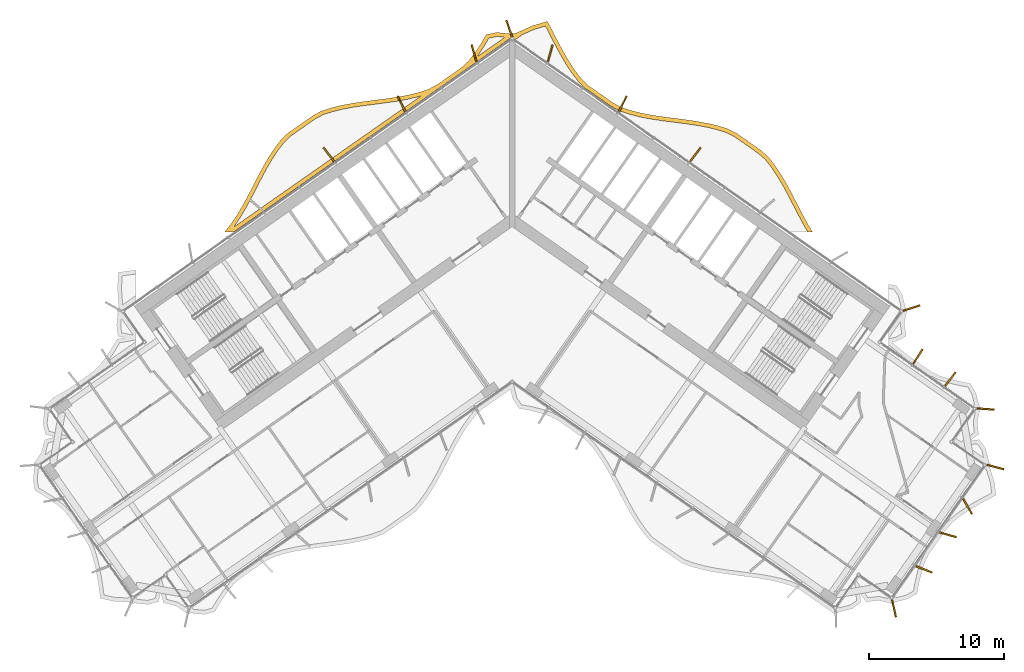
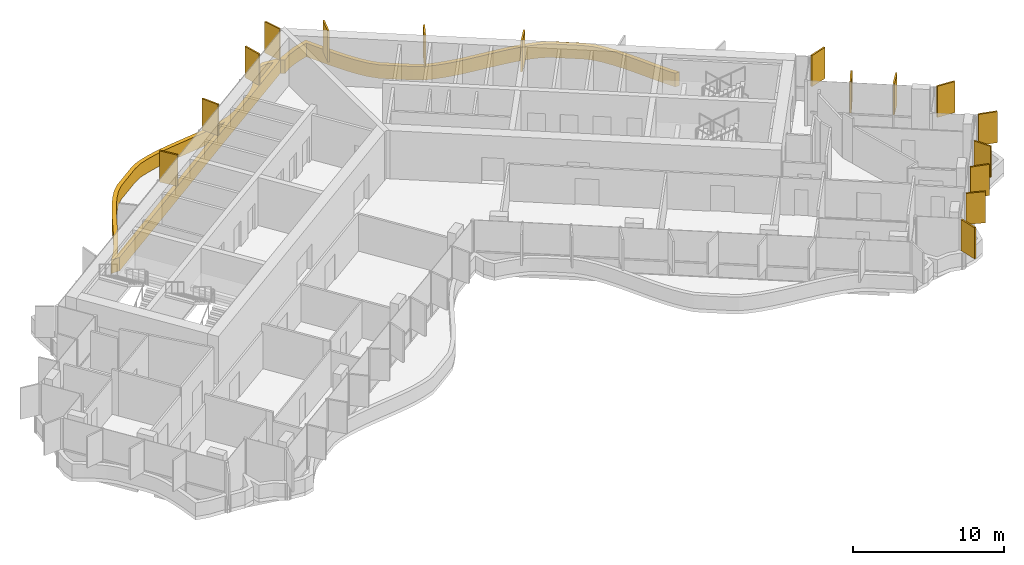
# One storey, part 21 of 21: 17 shading devices.
"""IFC4 building model written with IfcOpenShell, lengths in metres."""

import ifcopenshell
import ifcopenshell.guid

model = None  # the IFC model being written
_history = None  # IfcOwnerHistory: only IFC2X3 demands one
_inside = {}  # id of a spatial element -> (the spatial element, [elements in it])
_under = {}  # id of a project, library or spatial element -> (it, [spatial elements below it])
_declared = {}  # id of a project -> (the project, [libraries it declares])
_typed = {}  # id of a type object -> (the type object, [elements of that type])
_made_of = {}  # id of a material, layer set ... -> (it, [elements and type objects made of it])


def new_model(schema):
    """Start an empty IFC model of exactly this schema.

    Asked for "IFC4X3", IfcOpenShell would pick the latest addendum, in which some entities
    have other attributes; the version numbers below select the first issue.
    IFC2X3 requires an IfcOwnerHistory on every rooted entity: one is made here for all.
    """
    global model, _history
    if schema == "IFC4X3":
        model = ifcopenshell.file(schema_version=(4, 3, 0, 0))
    else:
        model = ifcopenshell.file(schema=schema)
    _inside.clear()
    _under.clear()
    _declared.clear()
    _typed.clear()
    _made_of.clear()
    _history = None
    if model.schema == "IFC2X3":
        org = make("IfcOrganization", Name="unknown")
        user = make(
            "IfcPersonAndOrganization",
            ThePerson=make("IfcPerson", FamilyName="unknown"),
            TheOrganization=org,
        )
        app = make(
            "IfcApplication",
            ApplicationDeveloper=org,
            Version="unknown",
            ApplicationFullName="unknown",
            ApplicationIdentifier="unknown",
        )
        _history = make(
            "IfcOwnerHistory",
            OwningUser=user,
            OwningApplication=app,
            ChangeAction="ADDED",
            CreationDate=0,
        )
    return model


def make(cls, **values):
    """One entity of the class cls with the attributes given. An attribute that is None is left unset."""
    return model.create_entity(
        cls, **{name: value for name, value in values.items() if value is not None}
    )


def rooted(cls, **values):
    """An entity with a GlobalId (a new one), such as an element, a storey or a relation."""
    return make(cls, GlobalId=ifcopenshell.guid.new(), OwnerHistory=_history, **values)


def si_unit(unit_type, name, prefix=None):
    """IfcSIUnit, for example si_unit("LENGTHUNIT", "METRE", prefix="MILLI")."""
    return make("IfcSIUnit", UnitType=unit_type, Prefix=prefix, Name=name)


def assignment(units):
    """IfcUnitAssignment: the units of a project."""
    return None if units is None else make("IfcUnitAssignment", Units=units)


def point(xyz):
    """IfcCartesianPoint."""
    return None if xyz is None else make("IfcCartesianPoint", Coordinates=xyz)


def direction(xyz):
    """IfcDirection."""
    return None if xyz is None else make("IfcDirection", DirectionRatios=xyz)


def frame(location, z_axis=None, x_axis=None):
    """IfcAxis2Placement3D, a coordinate frame: its origin and axes. An axis left out is left unset."""
    return make(
        "IfcAxis2Placement3D",
        Location=point(location),
        Axis=direction(z_axis),
        RefDirection=direction(x_axis),
    )


def frame_2d(location, x_axis=None):
    """IfcAxis2Placement2D, a coordinate frame in the plane: its origin and x axis."""
    return make(
        "IfcAxis2Placement2D", Location=point(location), RefDirection=direction(x_axis)
    )


def origin():
    """The frame at (0, 0, 0) with its axes left unset."""
    return frame((0.0, 0.0, 0.0))


def origin_2d():
    """The frame at (0, 0) in the plane with its x axis left unset."""
    return frame_2d((0.0, 0.0))


def place(relative_to, where):
    """IfcLocalPlacement: puts the frame where relative to a parent placement (None: the world)."""
    return make(
        "IfcLocalPlacement", PlacementRelTo=relative_to, RelativePlacement=where
    )


def context(
    kind, dimensions, precision=None, world=None, true_north=None, identifier=None
):
    """IfcGeometricRepresentationContext, for example the 3D "Model" context."""
    return make(
        "IfcGeometricRepresentationContext",
        ContextIdentifier=identifier,
        ContextType=kind,
        CoordinateSpaceDimension=dimensions,
        Precision=precision,
        WorldCoordinateSystem=world,
        TrueNorth=true_north,
    )


def subcontext(parent, identifier, kind, view, scale=None):
    """IfcGeometricRepresentationSubContext, for example "Body" below "Model"."""
    return make(
        "IfcGeometricRepresentationSubContext",
        ContextIdentifier=identifier,
        ContextType=kind,
        ParentContext=parent,
        TargetScale=scale,
        TargetView=view,
    )


def project(units=None, contexts=None):
    """IfcProject with its units and contexts."""
    return rooted(
        "IfcProject",
        Name="project",
        RepresentationContexts=contexts,
        UnitsInContext=assignment(units),
    )


def spatial(cls, under=None, at=None, **own):
    """A site, building, storey or space (cls), placed at a placement, below another one or the project."""
    s = rooted(cls, ObjectPlacement=at, **own)
    if under is not None:
        _under.setdefault(under.id(), (under, []))[1].append(s)
    return s


def polyline(points):
    """IfcPolyline through the points."""
    return make("IfcPolyline", Points=[point(p) for p in points])


def profile(cls, at=None, kind="AREA", **sizes):
    """A parametric profile (cls). Its sizes go by their IFC names, for example OverallWidth=200.0."""
    return make(cls, ProfileType=kind, Position=at, **sizes)


def rectangle(**sizes):
    """IfcRectangleProfileDef."""
    return profile("IfcRectangleProfileDef", **sizes)


def outline(outer, holes=None, kind="AREA"):
    """IfcArbitraryClosedProfileDef: a profile drawn as a closed curve; with holes, ...WithVoids."""
    if holes is None:
        return make("IfcArbitraryClosedProfileDef", ProfileType=kind, OuterCurve=outer)
    return make(
        "IfcArbitraryProfileDefWithVoids",
        ProfileType=kind,
        OuterCurve=outer,
        InnerCurves=holes,
    )


def extrude(swept, where, along, depth):
    """IfcExtrudedAreaSolid: the profile swept, set in the frame where, extruded along a direction by depth."""
    return make(
        "IfcExtrudedAreaSolid",
        SweptArea=swept,
        Position=where,
        ExtrudedDirection=direction(along),
        Depth=depth,
    )


def shape(context_of_items, identifier, shape_type, items):
    """IfcShapeRepresentation: the items that make up one representation, for example the "Body"."""
    return make(
        "IfcShapeRepresentation",
        ContextOfItems=context_of_items,
        RepresentationIdentifier=identifier,
        RepresentationType=shape_type,
        Items=items,
    )


def material(Name=None, Category=None):
    """IfcMaterial."""
    return make("IfcMaterial", Name=Name, Category=Category)


def layer(
    of_material, thickness, ventilated=None, Name=None, Category=None, Priority=None
):
    """IfcMaterialLayer: one layer of a wall or slab, of a material (None: an air gap)."""
    return make(
        "IfcMaterialLayer",
        Material=of_material,
        LayerThickness=thickness,
        IsVentilated=ventilated,
        Name=Name,
        Category=Category,
        Priority=Priority,
    )


def layer_set(layers, Name=None):
    """IfcMaterialLayerSet."""
    return make("IfcMaterialLayerSet", MaterialLayers=layers, LayerSetName=Name)


def made_of(thing, what):
    """Note that an element or type object is made of a material, layer set ...; save() writes the relation."""
    if what is not None:
        _made_of.setdefault(what.id(), (what, []))[1].append(thing)
    return thing


def type_object(cls, material=None, **own):
    """A type object (cls), such as IfcWallType, which elements share."""
    return made_of(rooted(cls, **own), material)


def element(
    cls,
    number,
    at=None,
    inside=None,
    cuts=None,
    type_object=None,
    material=None,
    context=None,
    identifier="Body",
    shape_type=None,
    held_by="IfcProductDefinitionShape",
    body=None,
    shapes=None,
    **own,
):
    """One element of the class cls, such as IfcWall. Its Tag is "e" and its number.

    at: its placement. inside: the storey or other place that contains it. cuts: it is an
    opening in that element (IfcRelVoidsElement). A single representation is given by context,
    identifier, shape_type and body (its items); several are given by shapes. held_by: the class
    of the entity that holds the representations. save() writes the other relations.
    """
    e = rooted(cls, Tag="e%d" % number, ObjectPlacement=at, **own)
    if body is not None:
        shapes = [shape(context, identifier, shape_type, body)]
    if shapes is not None:
        e.Representation = make(held_by, Representations=shapes)
    if inside is not None:
        _inside.setdefault(inside.id(), (inside, []))[1].append(e)
    if cuts is not None:
        rooted(
            "IfcRelVoidsElement", RelatingBuildingElement=cuts, RelatedOpeningElement=e
        )
    if type_object is not None:
        _typed.setdefault(type_object.id(), (type_object, []))[1].append(e)
    return made_of(e, material)


def aggregate(whole, parts):
    """IfcRelAggregates: a whole, such as a stair, and the parts it consists of."""
    return rooted("IfcRelAggregates", RelatingObject=whole, RelatedObjects=parts)


def save(model, path):
    """Write the relations noted so far, then the file.

    IfcRelAggregates (storeys below a building ...), IfcRelContainedInSpatialStructure (elements
    in a storey), IfcRelDefinesByType, IfcRelAssociatesMaterial and IfcRelDeclares: one each for
    every whole, place, type object, material and project.
    """
    for whole, parts in _under.values():
        aggregate(whole, parts)
    for where, things in _inside.values():
        rooted(
            "IfcRelContainedInSpatialStructure",
            RelatedElements=things,
            RelatingStructure=where,
        )
    for kind, things in _typed.values():
        rooted("IfcRelDefinesByType", RelatedObjects=things, RelatingType=kind)
    for what, things in _made_of.values():
        rooted("IfcRelAssociatesMaterial", RelatedObjects=things, RelatingMaterial=what)
    for by, libraries in _declared.values():
        rooted("IfcRelDeclares", RelatingContext=by, RelatedDefinitions=libraries)
    model.write(path)


model = new_model("IFC4")

# Units and contexts
model_context = context("Model", 3, precision=1e-05, world=origin(), true_north=direction((0.0, 1.0)))
body_context = subcontext(model_context, "Body", "Model", "MODEL_VIEW")
ifc_project = project(units=[si_unit("LENGTHUNIT", "METRE"), si_unit("AREAUNIT", "SQUARE_METRE"), si_unit("VOLUMEUNIT", "CUBIC_METRE"), si_unit("PLANEANGLEUNIT", "RADIAN"), si_unit("MASSUNIT", "GRAM", prefix="KILO")], contexts=[model_context])

# Site, building, storey
site_placement = place(None, origin())
site = spatial("IfcSite", under=ifc_project, at=site_placement, CompositionType="ELEMENT")
building_placement = place(site_placement, origin())
building = spatial("IfcBuilding", under=site, at=building_placement, Name="Tel Ilan Convention Tower", CompositionType="ELEMENT")
storey_placement = place(building_placement, frame((0.0, 0.0, 206.10009765625)))
storey = spatial("IfcBuildingStorey", under=building, at=storey_placement, Name="L48", CompositionType="ELEMENT", Elevation=206.10009765625)

# Shading devices
ifc_material_1 = material(Name="Aluminium, bronze anodised", Category="aluminium")
ifc_layer_1 = layer(ifc_material_1, 0.1201171875)
ifc_layer_set_1 = layer_set([ifc_layer_1], Name="FIN BRONZE 1300x120")
shading_device_type_1 = type_object("IfcShadingDeviceType", Name="FIN BRONZE 1300x120", PredefinedType="USERDEFINED", material=ifc_layer_set_1)
for number, where, z_axis, x_axis, name in (
    (1, (29.583984375, -7.253173828125, 1.099853515625), (0.0, 0.0, 1.0), (0.949242643575, 0.314544756146, 0.0), "FIN"),
    (2, (13.562744140625, 4.116943359375, 1.099853515625), (0.0, 0.0, 1.0), (0.612600545196, 0.790392669516, 0.0), "FIN"),
    (3, (8.1943359375, 7.87548828125, 1.099853515625), (0.0, 0.0, 1.0), (0.448799180206, 0.893632640321, 0.0), "FIN"),
    (4, (2.818115234375, 11.616943359375, 1.099853515625), (0.0, 0.0, 1.0), (0.268172612768, 0.963370878614, 0.0), "FIN"),
    (5, (-0.21630859375, 13.450439453125, 1.099853515625), (0.0, 0.0, 1.0), (-0.332892691468, 0.942964716183, 0.0), "FIN"),
    (6, (-2.818115234375, 11.616943359375, 1.099853515625), (0.0, 0.0, 1.0), (-0.268172612768, 0.963370878614, 0.0), "FIN"),
    (7, (-8.1943359375, 7.87548828125, 1.099853515625), (0.0, 0.0, 1.0), (-0.448799180206, 0.893632640321, 0.0), "FIN"),
    (8, (-13.562744140625, 4.116943359375, 1.099853515625), (0.0, 0.0, 1.0), (-0.612600545196, 0.790392669516, 0.0), "FIN"),
    (9, (28.28076171875, -29.49365234375, 1.099853515625), (0.0, 0.0, 1.0), (0.221170268371, -0.975235208752, 0.0), "FIN"),
    (10, (30.503662109375, -26.600830078125, 1.099853515625), (0.0, 0.0, 1.0), (0.932883704733, -0.360177724803, 0.0), "FIN"),
    (11, (32.277587890625, -24.0458984375, 1.099853515625), (0.0, 0.0, 1.0), (0.963370878614, -0.268172612768, 0.0), "FIN"),
    (12, (33.730224609375, -21.939208984375, 1.099853515625), (0.0, 0.0, 1.0), (0.5, -0.866025403784, 0.0), "FIN"),
    (13, (35.78662109375, -19.027587890625, 1.099853515625), (0.0, 0.0, 1.0), (0.965925826289, -0.258819045103, 0.0), "FIN"),
    (14, (35.059814453125, -14.72705078125, 1.099853515625), (0.0, 0.0, 1.0), (0.997697449973, -0.067821812994, 0.0), "FIN"),
    (15, (32.44873046875, -12.525390625, 1.099853515625), (0.0, 0.0, 1.0), (0.612600545196, 0.790392669516, 0.0), "FIN"),
    (16, (30.049072265625, -10.844970703125, 1.099853515625), (0.0, 0.0, 1.0), (0.533204432798, 0.845986425922, 0.0), "FIN"),
):
    element("IfcShadingDevice", number, at=place(storey_placement, frame(where, z_axis=z_axis, x_axis=x_axis)), inside=storey, type_object=shading_device_type_1, Name=name, ObjectType="FIN", PredefinedType="USERDEFINED", context=body_context, shape_type="SweptSolid", body=[
        extrude(rectangle(XDim=1.300048828125, YDim=0.1201171875, at=origin_2d()), origin(), (0.0, 0.0, 1.0), 2.52001953125),
    ])
ifc_material_2 = material(Name="Aluminium, bronze anodised", Category="aluminium")
ifc_layer_2 = layer(ifc_material_2, 0.300048828125)
ifc_layer_set_2 = layer_set([ifc_layer_2], Name="LOUVRE BAND 300x1100")
shading_device_type_2 = type_object("IfcShadingDeviceType", Name="LOUVRE BAND 300x1100", PredefinedType="USERDEFINED", material=ifc_layer_set_2)
shading_device_placement = place(storey_placement, origin())
element("IfcShadingDevice", 17, at=shading_device_placement, inside=storey, type_object=shading_device_type_2, Name="LOUVRE BAND 38.02", ObjectType="LOUVRE", PredefinedType="USERDEFINED", context=body_context, shape_type="SweptSolid", body=[
    extrude(outline(polyline([(-20.849609375, -1.0634765625), (-21.30126953125, -1.631591796875), (-20.63623046875, -1.631591796875), (0.0, 12.818115234375), (0.261474609375, 12.635009765625), (0.71044921875, 12.94921875), (0.651611328125, 12.94921875), (1.583984375, 13.365234375), (2.46484375, 13.628173828125), (3.115478515625, 12.37158203125), (3.5078125, 11.636474609375), (3.92041015625, 10.921630859375), (4.362548828125, 10.239501953125), (4.84716796875, 9.595947265625), (5.407958984375, 9.031494140625), (7.251220703125, 7.74072265625), (7.93212890625, 7.353759765625), (8.69921875, 7.09716796875), (9.48291015625, 6.89990234375), (10.2900390625, 6.745361328125), (11.112060546875, 6.621337890625), (12.762939453125, 6.408935546875), (13.572509765625, 6.29248046875), (14.3583984375, 6.15185546875), (15.11279296875, 5.97509765625), (15.819580078125, 5.75537109375), (16.44921875, 5.450927734375), (18.22607421875, 4.206787109375), (18.74951171875, 3.746826171875), (19.200927734375, 3.172607421875), (19.63037109375, 2.533447265625), (20.03515625, 1.850341796875), (20.423583984375, 1.13427734375), (21.186767578125, -0.3427734375), (21.5810546875, -1.075927734375), (21.906005859375, -1.631591796875), (22.25341796875, -1.631591796875), (21.8427734375, -0.928955078125), (21.4521484375, -0.202880859375), (20.688720703125, 1.27490234375), (20.296142578125, 1.998291015625), (19.884033203125, 2.69384765625), (19.44384765625, 3.34912109375), (18.96826171875, 3.9541015625), (18.41162109375, 4.443115234375), (16.6015625, 5.71044921875), (15.929931640625, 6.03515625), (15.191650390625, 6.2646484375), (14.419189453125, 6.44580078125), (13.6201171875, 6.588623046875), (12.80322265625, 6.7060546875), (11.15380859375, 6.91845703125), (10.340576171875, 7.041259765625), (9.547607421875, 7.19287109375), (8.783447265625, 7.385498046875), (8.054931640625, 7.62890625), (7.411865234375, 7.99462890625), (5.601806640625, 9.261962890625), (5.074462890625, 9.792724609375), (4.608642578125, 10.41162109375), (4.17626953125, 11.078369140625), (3.770263671875, 11.7822265625), (3.38134765625, 12.510986328125), (2.6162109375, 13.986328125), (1.4794921875, 13.647216796875), (0.168701171875, 13.059326171875), (0.11474609375, 13.09521484375), (0.0, 13.1181640625), (-0.11474609375, 13.09521484375), (-0.168701171875, 13.059326171875), (-1.14208984375, 13.1650390625), (-1.919921875, 12.991943359375), (-2.3310546875, 12.294921875), (-2.769287109375, 11.63671875), (-3.242431640625, 11.0283203125), (-3.7919921875, 10.529296875), (-5.601806640625, 9.261962890625), (-6.26611328125, 8.926513671875), (-7.002197265625, 8.693603515625), (-7.7724609375, 8.509765625), (-8.570068359375, 8.36474609375), (-9.385986328125, 8.24609375), (-11.03564453125, 8.033935546875), (-11.849853515625, 7.91259765625), (-12.644287109375, 7.76318359375), (-13.41064453125, 7.573486328125), (-14.141845703125, 7.33349609375), (-14.791748046875, 6.977783203125), (-16.6015625, 5.71044921875), (-17.136474609375, 5.1904296875), (-17.604736328125, 4.574951171875), (-18.0390625, 3.9111328125), (-18.44677734375, 3.209228515625), (-18.83642578125, 2.481689453125), (-19.60009765625, 1.004150390625), (-19.993408203125, 0.281982421875), (-20.4072265625, -0.4111328125), (-20.849609375, -1.0634765625)]), holes=[polyline([(-2.603271484375, 11.361572265625), (-2.525634765625, 11.46142578125), (-2.076904296875, 12.135498046875), (-1.727783203125, 12.727294921875), (-1.12451171875, 12.861572265625), (-0.547119140625, 12.80126953125), (-2.603271484375, 11.361572265625)]), polyline([(-20.614990234375, -1.25048828125), (-20.154052734375, -0.572265625), (-19.73291015625, 0.13330078125), (-19.335205078125, 0.86328125), (-18.57080078125, 2.342041015625), (-18.1845703125, 3.06298828125), (-17.78369140625, 3.75341796875), (-17.359619140625, 4.40185546875), (-16.911376953125, 4.99072265625), (-16.409912109375, 5.478515625), (-14.633056640625, 6.722412109375), (-14.02197265625, 7.05712890625), (-13.32763671875, 7.284912109375), (-12.58056640625, 7.4697265625), (-11.800048828125, 7.61669921875), (-10.994384765625, 7.73681640625), (-9.345458984375, 7.94873046875), (-8.521484375, 8.068603515625), (-7.710693359375, 8.216064453125), (-6.921875, 8.404296875), (-6.748046875, 8.459228515625), (-20.614990234375, -1.25048828125)])]), origin(), (0.0, 0.0, 1.0), 1.099853515625),
])

save(model, "model.ifc")
